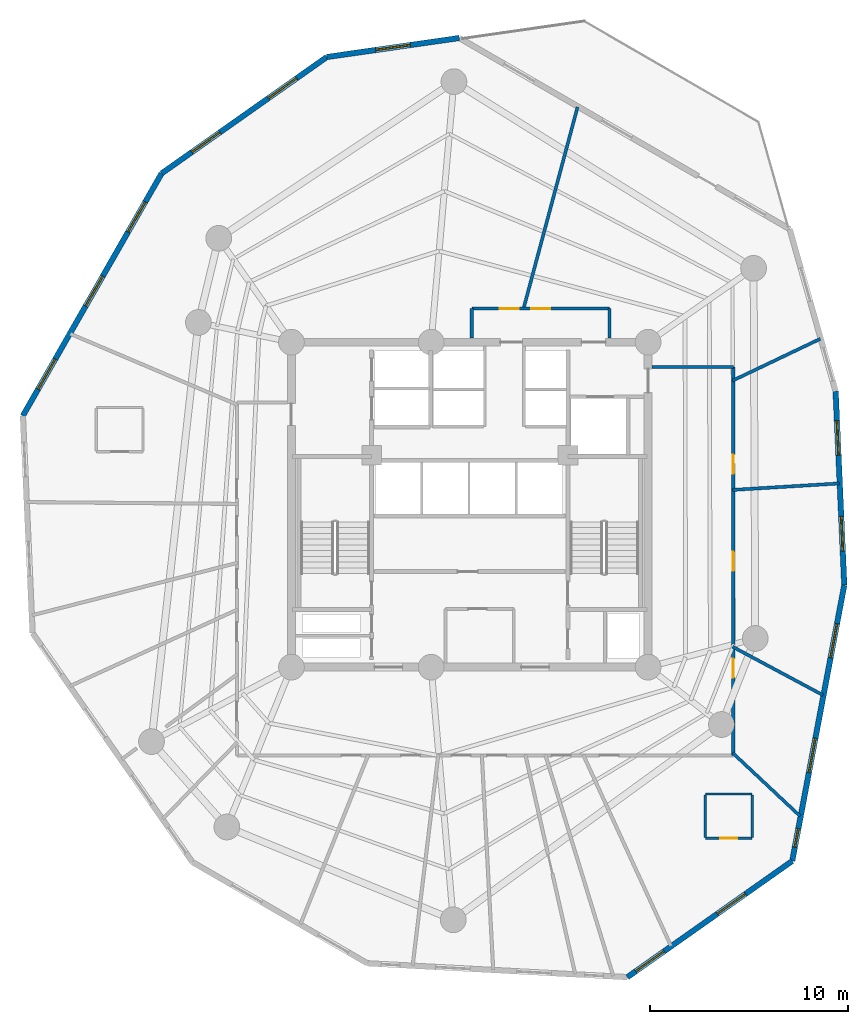
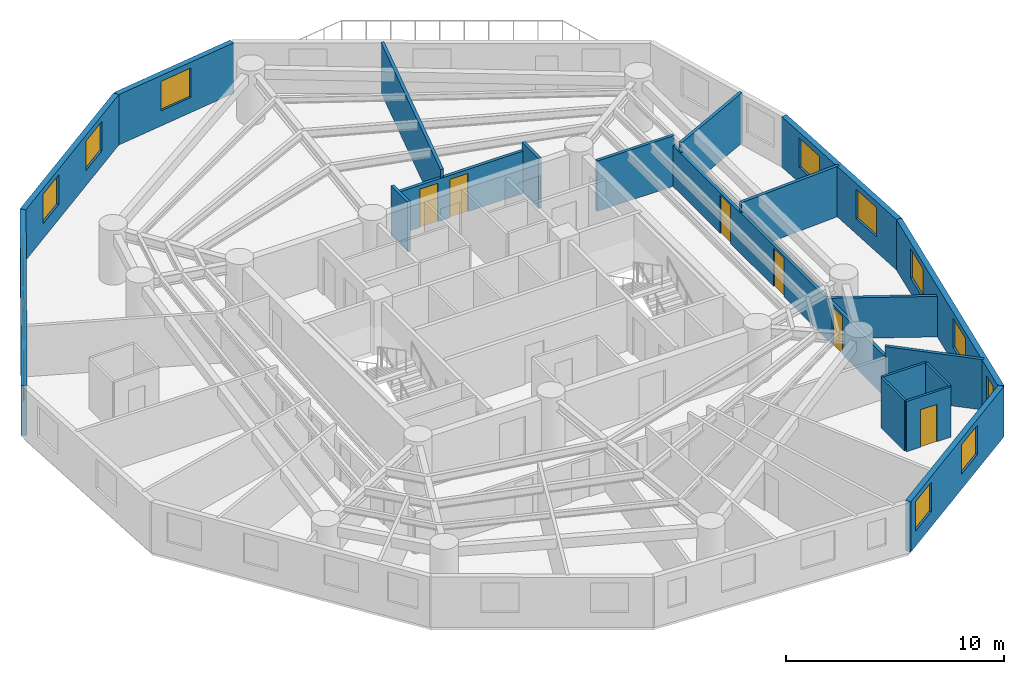
# One storey, part 5 of 7: 20 walls, 13 windows, 6 doors, 19 openings.
"""IFC4 building model written with IfcOpenShell, lengths in metres."""

from ifc_helpers import new_model, si_unit, direction, frame, frame_2d, origin, origin_with_axes, place, context, subcontext, project, spatial, rectangle, extrude, source, transform, mapped, material, layer, layer_set, type_object, element, fill, save


model = new_model("IFC4")

# Units and contexts
model_context = context("Model", 3, precision=1e-05, world=origin(), true_north=direction((0.0, 1.0)))
body_context = subcontext(model_context, "Body", "Model", "MODEL_VIEW")
ifc_project = project(units=[si_unit("LENGTHUNIT", "METRE"), si_unit("AREAUNIT", "SQUARE_METRE"), si_unit("VOLUMEUNIT", "CUBIC_METRE"), si_unit("PLANEANGLEUNIT", "RADIAN"), si_unit("MASSUNIT", "GRAM", prefix="KILO")], contexts=[model_context])

# Site, building, storey
site_placement = place(None, origin())
site = spatial("IfcSite", under=ifc_project, at=site_placement, CompositionType="ELEMENT")
building_placement = place(site_placement, origin())
building = spatial("IfcBuilding", under=site, at=building_placement, Name="Karkom Vertical University and Central Library", CompositionType="ELEMENT")
storey_placement = place(building_placement, frame((0.0, 0.0, 193.14990234375)))
storey = spatial("IfcBuildingStorey", under=building, at=storey_placement, Name="L56", CompositionType="ELEMENT", Elevation=193.14990234375)

# Wall, openings, windows
ifc_material_1 = material(Name="Brick-faced precast concrete C45/55", Category="masonry")
ifc_layer_1 = layer(ifc_material_1, 0.280029296875)
ifc_layer_set_1 = layer_set([ifc_layer_1], Name="Brick-faced precast concrete C45/55")
wall_type_1 = type_object("IfcWallType", Name="ENV-WL-BRK-280", PredefinedType="SOLIDWALL", material=ifc_layer_set_1)
wall_1_placement = place(storey_placement, frame((36.453369140625, 2.651611328125, 0.0), z_axis=(0.0, 0.0, 1.0), x_axis=(0.817449334026, 0.576000508941, 0.0)))
wall_1 = element("IfcWall", 1, at=wall_1_placement, inside=storey, type_object=wall_type_1, Name="Level 56 Brick-Faced Precast Facade Wall 04", PredefinedType="SOLIDWALL", context=body_context, shape_type="SweptSolid", body=[
    extrude(rectangle(XDim=10.182373046875, YDim=0.280029296875, at=frame_2d((5.09130859375, 0.0))), origin(), (0.0, 0.0, 1.0), 2.8251953125),
])
opening_1_placement = place(wall_1_placement, frame((0.512939453125, 0.0, 0.85009765625)))
opening_1 = element("IfcOpeningElement", 2, at=opening_1_placement, cuts=wall_1, Name="Opening WN-08", PredefinedType="OPENING", context=body_context, shape_type="SweptSolid", body=[
    extrude(rectangle(XDim=1.75, YDim=1.64990234375, at=frame_2d((0.875, 0.824951171875))), frame((0.0, 0.14990234375, 0.0), z_axis=(0.0, -1.0, 0.0), x_axis=(1.0, 0.0, 0.0)), (0.0, 0.0, 1.0), 0.300048828125),
])
opening_2_placement = place(wall_1_placement, frame((5.544189453125, 0.0, 0.85009765625)))
opening_2 = element("IfcOpeningElement", 3, at=opening_2_placement, cuts=wall_1, Name="Opening WN-08", PredefinedType="OPENING", context=body_context, shape_type="SweptSolid", body=[
    extrude(rectangle(XDim=1.75, YDim=1.64990234375, at=frame_2d((0.875, 0.824951171875))), frame((0.0, 0.14990234375, 0.0), z_axis=(0.0, -1.0, 0.0), x_axis=(1.0, 0.0, 0.0)), (0.0, 0.0, 1.0), 0.300048828125),
])
ifc_material_2 = material(Name="Aluminium thermal-break frame with solar-control IGU", Category="aluminium")
window_type_1 = type_object("IfcWindowType", Name="ENV-WIN-WN-08", PartitioningType="SINGLE_PANEL", PredefinedType="WINDOW", material=ifc_material_2)
shared_shape_1 = source(origin_with_axes(), body_context, "Body", "SweptSolid", [
    extrude(rectangle(XDim=1.75, YDim=1.64990234375, at=frame_2d((0.875, 0.824951171875))), frame((0.0, 0.030029296875, 0.0), z_axis=(0.0, -1.0, 0.0), x_axis=(1.0, 0.0, 0.0)), (0.0, 0.0, 1.0), 0.06005859375),
])
window_1_placement = place(opening_1_placement, origin())
window_1 = element("IfcWindow", 4, at=window_1_placement, inside=storey, type_object=window_type_1, Name="Level 56 Punched Window 4.1", OverallHeight=1.64990234375, OverallWidth=1.75, PartitioningType="SINGLE_PANEL", PredefinedType="WINDOW", context=body_context, shape_type="MappedRepresentation", body=[
    mapped(shared_shape_1, transform((0.0, 0.0, 0.0), scale=1.0)),
])
fill(opening_1, window_1)
window_2_placement = place(opening_2_placement, origin())
window_2 = element("IfcWindow", 5, at=window_2_placement, inside=storey, type_object=window_type_1, Name="Level 56 Punched Window 4.2", OverallHeight=1.64990234375, OverallWidth=1.75, PartitioningType="SINGLE_PANEL", PredefinedType="WINDOW", context=body_context, shape_type="MappedRepresentation", body=[
    mapped(shared_shape_1, transform((0.0, 0.0, 0.0), scale=1.0)),
])
fill(opening_2, window_2)

wall_2_placement = place(storey_placement, frame((44.77685546875, 8.5166015625, 0.0), z_axis=(0.0, 0.0, 1.0), x_axis=(0.185389024618, 0.982665207256, 0.0)))
wall_2 = element("IfcWall", 6, at=wall_2_placement, inside=storey, type_object=wall_type_1, Name="Level 56 Brick-Faced Precast Facade Wall 05", PredefinedType="SOLIDWALL", context=body_context, shape_type="SweptSolid", body=[
    extrude(rectangle(XDim=14.169921875, YDim=0.280029296875, at=frame_2d((7.0849609375, 0.0))), origin(), (0.0, 0.0, 1.0), 2.8251953125),
])
opening_3_placement = place(wall_2_placement, frame((0.715087890625, 0.0, 0.85009765625)))
opening_3 = element("IfcOpeningElement", 7, at=opening_3_placement, cuts=wall_2, Name="Opening WN-12", PredefinedType="OPENING", context=body_context, shape_type="SweptSolid", body=[
    extrude(rectangle(XDim=0.949951171875, YDim=1.5, at=frame_2d((0.47509765625, 0.75))), frame((0.0, 0.14990234375, 0.0), z_axis=(0.0, -1.0, 0.0), x_axis=(1.0, 0.0, 0.0)), (0.0, 0.0, 1.0), 0.300048828125),
])
opening_4_placement = place(wall_2_placement, frame((4.547119140625, 0.0, 0.85009765625)))
opening_4 = element("IfcOpeningElement", 8, at=opening_4_placement, cuts=wall_2, Name="Opening WN-08", PredefinedType="OPENING", context=body_context, shape_type="SweptSolid", body=[
    extrude(rectangle(XDim=1.75, YDim=1.64990234375, at=frame_2d((0.875, 0.824951171875))), frame((0.0, 0.14990234375, 0.0), z_axis=(0.0, -1.0, 0.0), x_axis=(1.0, 0.0, 0.0)), (0.0, 0.0, 1.0), 0.300048828125),
])
opening_5_placement = place(wall_2_placement, frame((10.44189453125, 0.0, 0.85009765625)))
opening_5 = element("IfcOpeningElement", 9, at=opening_5_placement, cuts=wall_2, Name="Opening WN-08", PredefinedType="OPENING", context=body_context, shape_type="SweptSolid", body=[
    extrude(rectangle(XDim=1.75, YDim=1.64990234375, at=frame_2d((0.875, 0.824951171875))), frame((0.0, 0.14990234375, 0.0), z_axis=(0.0, -1.0, 0.0), x_axis=(1.0, 0.0, 0.0)), (0.0, 0.0, 1.0), 0.300048828125),
])
window_type_2 = type_object("IfcWindowType", Name="ENV-WIN-WN-12", PartitioningType="SINGLE_PANEL", PredefinedType="WINDOW", material=ifc_material_2)
shared_shape_2 = source(origin_with_axes(), body_context, "Body", "SweptSolid", [
    extrude(rectangle(XDim=0.949951171875, YDim=1.5, at=frame_2d((0.47509765625, 0.75))), frame((0.0, 0.030029296875, 0.0), z_axis=(0.0, -1.0, 0.0), x_axis=(1.0, 0.0, 0.0)), (0.0, 0.0, 1.0), 0.06005859375),
])
window_3_placement = place(opening_3_placement, origin())
window_3 = element("IfcWindow", 10, at=window_3_placement, inside=storey, type_object=window_type_2, Name="Level 56 Punched Window 5.1", OverallHeight=1.5, OverallWidth=0.949951171875, PartitioningType="SINGLE_PANEL", PredefinedType="WINDOW", context=body_context, shape_type="MappedRepresentation", body=[
    mapped(shared_shape_2, transform((0.0, 0.0, 0.0), scale=1.0)),
])
fill(opening_3, window_3)
window_4_placement = place(opening_4_placement, origin())
window_4 = element("IfcWindow", 11, at=window_4_placement, inside=storey, type_object=window_type_1, Name="Level 56 Punched Window 5.2", OverallHeight=1.64990234375, OverallWidth=1.75, PartitioningType="SINGLE_PANEL", PredefinedType="WINDOW", context=body_context, shape_type="MappedRepresentation", body=[
    mapped(shared_shape_1, transform((0.0, 0.0, 0.0), scale=1.0)),
])
fill(opening_4, window_4)
window_5_placement = place(opening_5_placement, origin())
window_5 = element("IfcWindow", 12, at=window_5_placement, inside=storey, type_object=window_type_1, Name="Level 56 Punched Window 5.3", OverallHeight=1.64990234375, OverallWidth=1.75, PartitioningType="SINGLE_PANEL", PredefinedType="WINDOW", context=body_context, shape_type="MappedRepresentation", body=[
    mapped(shared_shape_1, transform((0.0, 0.0, 0.0), scale=1.0)),
])
fill(opening_5, window_5)

wall_3_placement = place(storey_placement, frame((47.40380859375, 22.44091796875, 0.0), z_axis=(0.0, 0.0, 1.0), x_axis=(-0.044674146158, 0.999001611943, 0.0)))
wall_3 = element("IfcWall", 13, at=wall_3_placement, inside=storey, type_object=wall_type_1, Name="Level 56 Brick-Faced Precast Facade Wall 06", PredefinedType="SOLIDWALL", context=body_context, shape_type="SweptSolid", body=[
    extrude(rectangle(XDim=9.798583984375, YDim=0.280029296875, at=frame_2d((4.8994140625, 0.0))), origin(), (0.0, 0.0, 1.0), 2.8251953125),
])
opening_6_placement = place(wall_3_placement, frame((1.723876953125, 0.0, 0.85009765625)))
opening_6 = element("IfcOpeningElement", 14, at=opening_6_placement, cuts=wall_3, Name="Opening WN-08", PredefinedType="OPENING", context=body_context, shape_type="SweptSolid", body=[
    extrude(rectangle(XDim=1.75, YDim=1.64990234375, at=frame_2d((0.875, 0.824951171875))), frame((0.0, 0.14990234375, 0.0), z_axis=(0.0, -1.0, 0.0), x_axis=(1.0, 0.0, 0.0)), (0.0, 0.0, 1.0), 0.300048828125),
])
opening_7_placement = place(wall_3_placement, frame((6.56298828125, 0.0, 0.85009765625)))
opening_7 = element("IfcOpeningElement", 15, at=opening_7_placement, cuts=wall_3, Name="Opening WN-08", PredefinedType="OPENING", context=body_context, shape_type="SweptSolid", body=[
    extrude(rectangle(XDim=1.75, YDim=1.64990234375, at=frame_2d((0.875, 0.824951171875))), frame((0.0, 0.14990234375, 0.0), z_axis=(0.0, -1.0, 0.0), x_axis=(1.0, 0.0, 0.0)), (0.0, 0.0, 1.0), 0.300048828125),
])
window_6_placement = place(opening_6_placement, origin())
window_6 = element("IfcWindow", 16, at=window_6_placement, inside=storey, type_object=window_type_1, Name="Level 56 Punched Window 6.1", OverallHeight=1.64990234375, OverallWidth=1.75, PartitioningType="SINGLE_PANEL", PredefinedType="WINDOW", context=body_context, shape_type="MappedRepresentation", body=[
    mapped(shared_shape_1, transform((0.0, 0.0, 0.0), scale=1.0)),
])
fill(opening_6, window_6)
window_7_placement = place(opening_7_placement, origin())
window_7 = element("IfcWindow", 17, at=window_7_placement, inside=storey, type_object=window_type_1, Name="Level 56 Punched Window 6.2", OverallHeight=1.64990234375, OverallWidth=1.75, PartitioningType="SINGLE_PANEL", PredefinedType="WINDOW", context=body_context, shape_type="MappedRepresentation", body=[
    mapped(shared_shape_1, transform((0.0, 0.0, 0.0), scale=1.0)),
])
fill(opening_7, window_7)

# Wall, opening, window
wall_4_placement = place(storey_placement, frame((27.97265625, 50.05615234375, 0.0), z_axis=(0.0, 0.0, 1.0), x_axis=(-0.989861136984, -0.142038478901, 0.0)))
wall_4 = element("IfcWall", 18, at=wall_4_placement, inside=storey, type_object=wall_type_1, Name="Level 56 Brick-Faced Precast Facade Wall 09", PredefinedType="SOLIDWALL", context=body_context, shape_type="SweptSolid", body=[
    extrude(rectangle(XDim=6.7568359375, YDim=0.280029296875, at=frame_2d((3.37841796875, 0.0))), origin(), (0.0, 0.0, 1.0), 2.8251953125),
])
opening_8_placement = place(wall_4_placement, frame((2.50341796875, 0.0, 0.85009765625)))
opening_8 = element("IfcOpeningElement", 19, at=opening_8_placement, cuts=wall_4, Name="Opening WN-08", PredefinedType="OPENING", context=body_context, shape_type="SweptSolid", body=[
    extrude(rectangle(XDim=1.75, YDim=1.64990234375, at=frame_2d((0.875, 0.824951171875))), frame((0.0, 0.14990234375, 0.0), z_axis=(0.0, -1.0, 0.0), x_axis=(1.0, 0.0, 0.0)), (0.0, 0.0, 1.0), 0.300048828125),
])
window_8_placement = place(opening_8_placement, origin())
window_8 = element("IfcWindow", 20, at=window_8_placement, inside=storey, type_object=window_type_1, Name="Level 56 Punched Window 9.1", OverallHeight=1.64990234375, OverallWidth=1.75, PartitioningType="SINGLE_PANEL", PredefinedType="WINDOW", context=body_context, shape_type="MappedRepresentation", body=[
    mapped(shared_shape_1, transform((0.0, 0.0, 0.0), scale=1.0)),
])
fill(opening_8, window_8)

# Wall, openings, windows
wall_5_placement = place(storey_placement, frame((21.284423828125, 49.096435546875, 0.0), z_axis=(0.0, 0.0, 1.0), x_axis=(-0.817450941873, -0.575998227108, 0.0)))
wall_5 = element("IfcWall", 21, at=wall_5_placement, inside=storey, type_object=wall_type_1, Name="Level 56 Brick-Faced Precast Facade Wall 10", PredefinedType="SOLIDWALL", context=body_context, shape_type="SweptSolid", body=[
    extrude(rectangle(XDim=10.204345703125, YDim=0.280029296875, at=frame_2d((5.10205078125, 0.0))), origin(), (0.0, 0.0, 1.0), 2.8251953125),
])
opening_9_placement = place(wall_5_placement, frame((1.8662109375, 0.0, 0.85009765625)))
opening_9 = element("IfcOpeningElement", 22, at=opening_9_placement, cuts=wall_5, Name="Opening WN-08", PredefinedType="OPENING", context=body_context, shape_type="SweptSolid", body=[
    extrude(rectangle(XDim=1.75, YDim=1.64990234375, at=frame_2d((0.875, 0.824951171875))), frame((0.0, 0.14990234375, 0.0), z_axis=(0.0, -1.0, 0.0), x_axis=(1.0, 0.0, 0.0)), (0.0, 0.0, 1.0), 0.300048828125),
])
opening_10_placement = place(wall_5_placement, frame((6.588134765625, 0.0, 0.85009765625)))
opening_10 = element("IfcOpeningElement", 23, at=opening_10_placement, cuts=wall_5, Name="Opening WN-08", PredefinedType="OPENING", context=body_context, shape_type="SweptSolid", body=[
    extrude(rectangle(XDim=1.75, YDim=1.64990234375, at=frame_2d((0.875, 0.824951171875))), frame((0.0, 0.14990234375, 0.0), z_axis=(0.0, -1.0, 0.0), x_axis=(1.0, 0.0, 0.0)), (0.0, 0.0, 1.0), 0.300048828125),
])
window_9_placement = place(opening_9_placement, origin())
window_9 = element("IfcWindow", 24, at=window_9_placement, inside=storey, type_object=window_type_1, Name="Level 56 Punched Window 10.1", OverallHeight=1.64990234375, OverallWidth=1.75, PartitioningType="SINGLE_PANEL", PredefinedType="WINDOW", context=body_context, shape_type="MappedRepresentation", body=[
    mapped(shared_shape_1, transform((0.0, 0.0, 0.0), scale=1.0)),
])
fill(opening_9, window_9)
window_10_placement = place(opening_10_placement, origin())
window_10 = element("IfcWindow", 25, at=window_10_placement, inside=storey, type_object=window_type_1, Name="Level 56 Punched Window 10.2", OverallHeight=1.64990234375, OverallWidth=1.75, PartitioningType="SINGLE_PANEL", PredefinedType="WINDOW", context=body_context, shape_type="MappedRepresentation", body=[
    mapped(shared_shape_1, transform((0.0, 0.0, 0.0), scale=1.0)),
])
fill(opening_10, window_10)

wall_6_placement = place(storey_placement, frame((12.94287109375, 43.21875, 0.0), z_axis=(0.0, 0.0, 1.0), x_axis=(-0.496778519018, -0.867877354839, 0.0)))
wall_6 = element("IfcWall", 26, at=wall_6_placement, inside=storey, type_object=wall_type_1, Name="Level 56 Brick-Faced Precast Facade Wall 11", PredefinedType="SOLIDWALL", context=body_context, shape_type="SweptSolid", body=[
    extrude(rectangle(XDim=14.09716796875, YDim=0.280029296875, at=frame_2d((7.048583984375, 0.0))), origin(), (0.0, 0.0, 1.0), 2.8251953125),
])
opening_11_placement = place(wall_6_placement, frame((1.6572265625, 0.0, 0.85009765625)))
opening_11 = element("IfcOpeningElement", 27, at=opening_11_placement, cuts=wall_6, Name="Opening WN-08", PredefinedType="OPENING", context=body_context, shape_type="SweptSolid", body=[
    extrude(rectangle(XDim=1.75, YDim=1.64990234375, at=frame_2d((0.875, 0.824951171875))), frame((0.0, 0.14990234375, 0.0), z_axis=(0.0, -1.0, 0.0), x_axis=(1.0, 0.0, 0.0)), (0.0, 0.0, 1.0), 0.300048828125),
])
opening_12_placement = place(wall_6_placement, frame((5.9619140625, 0.0, 0.85009765625)))
opening_12 = element("IfcOpeningElement", 28, at=opening_12_placement, cuts=wall_6, Name="Opening WN-08", PredefinedType="OPENING", context=body_context, shape_type="SweptSolid", body=[
    extrude(rectangle(XDim=1.75, YDim=1.64990234375, at=frame_2d((0.875, 0.824951171875))), frame((0.0, 0.14990234375, 0.0), z_axis=(0.0, -1.0, 0.0), x_axis=(1.0, 0.0, 0.0)), (0.0, 0.0, 1.0), 0.300048828125),
])
opening_13_placement = place(wall_6_placement, frame((10.798095703125, 0.0, 0.85009765625)))
opening_13 = element("IfcOpeningElement", 29, at=opening_13_placement, cuts=wall_6, Name="Opening WN-08", PredefinedType="OPENING", context=body_context, shape_type="SweptSolid", body=[
    extrude(rectangle(XDim=1.75, YDim=1.64990234375, at=frame_2d((0.875, 0.824951171875))), frame((0.0, 0.14990234375, 0.0), z_axis=(0.0, -1.0, 0.0), x_axis=(1.0, 0.0, 0.0)), (0.0, 0.0, 1.0), 0.300048828125),
])
window_11_placement = place(opening_11_placement, origin())
window_11 = element("IfcWindow", 30, at=window_11_placement, inside=storey, type_object=window_type_1, Name="Level 56 Punched Window 11.1", OverallHeight=1.64990234375, OverallWidth=1.75, PartitioningType="SINGLE_PANEL", PredefinedType="WINDOW", context=body_context, shape_type="MappedRepresentation", body=[
    mapped(shared_shape_1, transform((0.0, 0.0, 0.0), scale=1.0)),
])
fill(opening_11, window_11)
window_12_placement = place(opening_12_placement, origin())
window_12 = element("IfcWindow", 31, at=window_12_placement, inside=storey, type_object=window_type_1, Name="Level 56 Punched Window 11.2", OverallHeight=1.64990234375, OverallWidth=1.75, PartitioningType="SINGLE_PANEL", PredefinedType="WINDOW", context=body_context, shape_type="MappedRepresentation", body=[
    mapped(shared_shape_1, transform((0.0, 0.0, 0.0), scale=1.0)),
])
fill(opening_12, window_12)
window_13_placement = place(opening_13_placement, origin())
window_13 = element("IfcWindow", 32, at=window_13_placement, inside=storey, type_object=window_type_1, Name="Level 56 Punched Window 11.3", OverallHeight=1.64990234375, OverallWidth=1.75, PartitioningType="SINGLE_PANEL", PredefinedType="WINDOW", context=body_context, shape_type="MappedRepresentation", body=[
    mapped(shared_shape_1, transform((0.0, 0.0, 0.0), scale=1.0)),
])
fill(opening_13, window_13)

# Wall, openings, doors
ifc_material_3 = material(Name="Insulated metal-stud drywall 160mm", Category="gypsum")
ifc_layer_2 = layer(ifc_material_3, 0.159912109375)
ifc_layer_set_2 = layer_set([ifc_layer_2], Name="Insulated metal-stud drywall 160mm")
wall_type_2 = type_object("IfcWallType", Name="INT-WL-COR-160", PredefinedType="PARTITIONING", material=ifc_layer_set_2)
wall_7_placement = place(storey_placement, frame((41.800048828125, 33.449951171875, 0.0), z_axis=(0.0, 0.0, 1.0), x_axis=(0.0, -1.0, 0.0)))
wall_7 = element("IfcWall", 33, at=wall_7_placement, inside=storey, type_object=wall_type_2, Name="Level 56 Interior Partition Wall L56-CORW-CW-005", PredefinedType="PARTITIONING", context=body_context, shape_type="SweptSolid", body=[
    extrude(rectangle(XDim=19.599853515625, YDim=0.159912109375, at=frame_2d((9.7998046875, 0.0))), origin(), (0.0, 0.0, 1.0), 2.275146484375),
])
opening_14_placement = place(wall_7_placement, frame((14.715087890625, 0.0, 0.0)))
opening_14 = element("IfcOpeningElement", 34, at=opening_14_placement, cuts=wall_7, Name="Opening FD-RM2", PredefinedType="OPENING", context=body_context, shape_type="SweptSolid", body=[
    extrude(rectangle(XDim=0.9599609375, YDim=2.14990234375, at=frame_2d((0.47998046875, 1.074951171875))), frame((0.0, 0.08984375, 0.0), z_axis=(0.0, -1.0, 0.0), x_axis=(1.0, 0.0, 0.0)), (0.0, 0.0, 1.0), 0.179931640625),
])
opening_15_placement = place(wall_7_placement, frame((9.324951171875, 0.0, 0.0)))
opening_15 = element("IfcOpeningElement", 35, at=opening_15_placement, cuts=wall_7, Name="Opening FD-RM2", PredefinedType="OPENING", context=body_context, shape_type="SweptSolid", body=[
    extrude(rectangle(XDim=0.9599609375, YDim=2.14990234375, at=frame_2d((0.47998046875, 1.074951171875))), frame((0.0, 0.08984375, 0.0), z_axis=(0.0, -1.0, 0.0), x_axis=(1.0, 0.0, 0.0)), (0.0, 0.0, 1.0), 0.179931640625),
])
opening_16_placement = place(wall_7_placement, frame((4.425048828125, 0.0, 0.0)))
opening_16 = element("IfcOpeningElement", 36, at=opening_16_placement, cuts=wall_7, Name="Opening FD-RM2", PredefinedType="OPENING", context=body_context, shape_type="SweptSolid", body=[
    extrude(rectangle(XDim=0.9599609375, YDim=2.14990234375, at=frame_2d((0.47998046875, 1.074951171875))), frame((0.0, 0.08984375, 0.0), z_axis=(0.0, -1.0, 0.0), x_axis=(1.0, 0.0, 0.0)), (0.0, 0.0, 1.0), 0.179931640625),
])
ifc_material_4 = material(Name="Fire-rated oak veneer door", Category="wood")
door_type_1 = type_object("IfcDoorType", Name="INT-DR-FRM2", OperationType="NOTDEFINED", PredefinedType="DOOR", material=ifc_material_4)
shared_shape_3 = source(origin_with_axes(), body_context, "Body", "SweptSolid", [
    extrude(rectangle(XDim=0.9599609375, YDim=2.14990234375, at=frame_2d((0.47998046875, 1.074951171875))), frame((0.0, 0.02490234375, 0.0), z_axis=(0.0, -1.0, 0.0), x_axis=(1.0, 0.0, 0.0)), (0.0, 0.0, 1.0), 0.050048828125),
])
door_1_placement = place(opening_14_placement, origin())
door_1 = element("IfcDoor", 37, at=door_1_placement, inside=storey, type_object=door_type_1, Name="Level 56 Room Entry Door 111", OperationType="SINGLE_SWING_RIGHT", OverallHeight=2.14990234375, OverallWidth=0.9599609375, PredefinedType="DOOR", context=body_context, shape_type="MappedRepresentation", body=[
    mapped(shared_shape_3, transform((0.0, 0.0, 0.0), scale=1.0)),
])
fill(opening_14, door_1)
door_2_placement = place(opening_15_placement, origin())
door_2 = element("IfcDoor", 38, at=door_2_placement, inside=storey, type_object=door_type_1, Name="Level 56 Room Entry Door 121", OperationType="SINGLE_SWING_LEFT", OverallHeight=2.14990234375, OverallWidth=0.9599609375, PredefinedType="DOOR", context=body_context, shape_type="MappedRepresentation", body=[
    mapped(shared_shape_3, transform((0.0, 0.0, 0.0), scale=1.0)),
])
fill(opening_15, door_2)
door_3_placement = place(opening_16_placement, origin())
door_3 = element("IfcDoor", 39, at=door_3_placement, inside=storey, type_object=door_type_1, Name="Level 56 Room Entry Door 131", OperationType="SINGLE_SWING_RIGHT", OverallHeight=2.14990234375, OverallWidth=0.9599609375, PredefinedType="DOOR", context=body_context, shape_type="MappedRepresentation", body=[
    mapped(shared_shape_3, transform((0.0, 0.0, 0.0), scale=1.0)),
])
fill(opening_16, door_3)

# Wall
wall_8_placement = place(storey_placement, frame((31.20703125, 36.37109375, 0.0), z_axis=(0.0, 0.0, 1.0), x_axis=(0.258819281137, 0.965925763044, 0.0)))
element("IfcWall", 40, at=wall_8_placement, inside=storey, type_object=wall_type_2, Name="Level 56 Interior Partition Wall L56-PW-017", PredefinedType="PARTITIONING", context=body_context, shape_type="SweptSolid", body=[
    extrude(rectangle(XDim=10.56103515625, YDim=0.159912109375, at=frame_2d((5.280517578125, 0.0))), origin(), (0.0, 0.0, 1.0), 2.8251953125),
])

# Wall, openings, doors
wall_9_placement = place(storey_placement, frame((28.60009765625, 36.39990234375, 0.0), z_axis=(0.0, 0.0, 1.0), x_axis=(1.0, 0.0, 0.0)))
wall_9 = element("IfcWall", 41, at=wall_9_placement, inside=storey, type_object=wall_type_2, Name="Level 56 Interior Partition Wall L56-CORW-CW-007", PredefinedType="PARTITIONING", context=body_context, shape_type="SweptSolid", body=[
    extrude(rectangle(XDim=6.949951171875, YDim=0.159912109375, at=frame_2d((3.47509765625, 0.0))), origin(), (0.0, 0.0, 1.0), 2.375),
])
opening_17_placement = place(wall_9_placement, frame((3.0, 0.0, 0.0)))
opening_17 = element("IfcOpeningElement", 42, at=opening_17_placement, cuts=wall_9, Name="Opening FD-RM2", PredefinedType="OPENING", context=body_context, shape_type="SweptSolid", body=[
    extrude(rectangle(XDim=0.9599609375, YDim=2.14990234375, at=frame_2d((0.47998046875, 1.074951171875))), frame((0.0, 0.08984375, 0.0), z_axis=(0.0, -1.0, 0.0), x_axis=(1.0, 0.0, 0.0)), (0.0, 0.0, 1.0), 0.179931640625),
])
opening_18_placement = place(wall_9_placement, frame((1.41748046875, 0.0, 0.0)))
opening_18 = element("IfcOpeningElement", 43, at=opening_18_placement, cuts=wall_9, Name="Opening FD-RM2", PredefinedType="OPENING", context=body_context, shape_type="SweptSolid", body=[
    extrude(rectangle(XDim=0.9599609375, YDim=2.14990234375, at=frame_2d((0.47998046875, 1.074951171875))), frame((0.0, 0.08984375, 0.0), z_axis=(0.0, -1.0, 0.0), x_axis=(1.0, 0.0, 0.0)), (0.0, 0.0, 1.0), 0.179931640625),
])
door_4_placement = place(opening_17_placement, origin())
door_4 = element("IfcDoor", 44, at=door_4_placement, inside=storey, type_object=door_type_1, Name="Level 56 Room Entry Door 141", OperationType="SINGLE_SWING_LEFT", OverallHeight=2.14990234375, OverallWidth=0.9599609375, PredefinedType="DOOR", context=body_context, shape_type="MappedRepresentation", body=[
    mapped(shared_shape_3, transform((0.0, 0.0, 0.0), scale=1.0)),
])
fill(opening_17, door_4)
door_5_placement = place(opening_18_placement, origin())
door_5 = element("IfcDoor", 45, at=door_5_placement, inside=storey, type_object=door_type_1, Name="Level 56 Room Entry Door 151", OperationType="SINGLE_SWING_RIGHT", OverallHeight=2.14990234375, OverallWidth=0.9599609375, PredefinedType="DOOR", context=body_context, shape_type="MappedRepresentation", body=[
    mapped(shared_shape_3, transform((0.0, 0.0, 0.0), scale=1.0)),
])
fill(opening_18, door_5)

# Walls
wall_10_placement = place(storey_placement, frame((41.77001953125, 27.24609375, 0.0), z_axis=(0.0, 0.0, 1.0), x_axis=(0.998158619136, 0.060657819326, 0.0)))
element("IfcWall", 46, at=wall_10_placement, inside=storey, type_object=wall_type_2, Name="Level 56 Interior Partition Wall L56-PW-015", PredefinedType="PARTITIONING", context=body_context, shape_type="SweptSolid", body=[
    extrude(rectangle(XDim=5.389404296875, YDim=0.159912109375, at=frame_2d((2.69482421875, 0.0))), origin(), (0.0, 0.0, 1.0), 2.8251953125),
])
wall_11_placement = place(storey_placement, frame((41.760498046875, 19.3330078125, 0.0), z_axis=(0.0, 0.0, 1.0), x_axis=(0.881620046082, -0.471959843998, 0.0)))
element("IfcWall", 47, at=wall_11_placement, inside=storey, type_object=wall_type_2, Name="Level 56 Interior Partition Wall L56-PW-014", PredefinedType="PARTITIONING", context=body_context, shape_type="SweptSolid", body=[
    extrude(rectangle(XDim=5.1806640625, YDim=0.159912109375, at=frame_2d((2.59033203125, 0.0))), origin(), (0.0, 0.0, 1.0), 2.275146484375),
])
wall_12_placement = place(storey_placement, frame((41.759521484375, 32.7578125, 0.0), z_axis=(0.0, 0.0, 1.0), x_axis=(0.902576335981, 0.430529856952, 0.0)))
element("IfcWall", 48, at=wall_12_placement, inside=storey, type_object=wall_type_2, Name="Level 56 Interior Partition Wall L56-PW-016", PredefinedType="PARTITIONING", context=body_context, shape_type="SweptSolid", body=[
    extrude(rectangle(XDim=4.91015625, YDim=0.159912109375, at=frame_2d((2.455078125, 0.0))), origin(), (0.0, 0.0, 1.0), 2.8251953125),
])
wall_13_placement = place(storey_placement, frame((41.778076171875, 13.964599609375, 0.0), z_axis=(0.0, 0.0, 1.0), x_axis=(0.729404533872, -0.684082616331, 0.0)))
element("IfcWall", 49, at=wall_13_placement, inside=storey, type_object=wall_type_2, Name="Level 56 Interior Partition Wall L56-PW-013", PredefinedType="PARTITIONING", context=body_context, shape_type="SweptSolid", body=[
    extrude(rectangle(XDim=4.64892578125, YDim=0.159912109375, at=frame_2d((2.324462890625, 0.0))), origin(), (0.0, 0.0, 1.0), 2.8251953125),
])
wall_14_placement = place(storey_placement, frame((37.70703125, 33.449951171875, 0.0), z_axis=(0.0, 0.0, 1.0), x_axis=(1.0, 0.0, 0.0)))
element("IfcWall", 50, at=wall_14_placement, inside=storey, type_object=wall_type_2, Name="Level 56 Interior Partition Wall L56-CORW-CW-004", PredefinedType="PARTITIONING", context=body_context, shape_type="SweptSolid", body=[
    extrude(rectangle(XDim=4.093017578125, YDim=0.159912109375, at=frame_2d((2.04638671875, 0.0))), origin(), (0.0, 0.0, 1.0), 2.8251953125),
])
for number, where, z_axis, x_axis, name in (
    (51, (28.60009765625, 34.906982421875, 0.0), (0.0, 0.0, 1.0), (0.0, 1.0, 0.0), "Level 56 Interior Partition Wall L56-CORW-CW-006"),
    (52, (35.550048828125, 36.39990234375, 0.0), (0.0, 0.0, 1.0), (0.0, -1.0, 0.0), "Level 56 Interior Partition Wall L56-CORW-CW-008"),
):
    element("IfcWall", number, at=place(storey_placement, frame(where, z_axis=z_axis, x_axis=x_axis)), inside=storey, type_object=wall_type_2, Name=name, PredefinedType="PARTITIONING", context=body_context, shape_type="SweptSolid", body=[
        extrude(rectangle(XDim=1.492919921875, YDim=0.159912109375, at=frame_2d((0.74658203125, 0.0))), origin(), (0.0, 0.0, 1.0), 2.8251953125),
    ])

# Wall, opening, door
ifc_material_5 = material(Name="Moisture-resistant drywall 120mm", Category="gypsum")
ifc_layer_3 = layer(ifc_material_5, 0.1201171875)
ifc_layer_set_3 = layer_set([ifc_layer_3], Name="Moisture-resistant drywall 120mm")
wall_type_3 = type_object("IfcWallType", Name="INT-WL-INT-120F", PredefinedType="PARTITIONING", material=ifc_layer_set_3)
wall_15_placement = place(storey_placement, frame((40.387939453125, 9.656982421875, 0.0), z_axis=(0.0, 0.0, 1.0), x_axis=(1.0, 0.0, 0.0)))
wall_15 = element("IfcWall", 53, at=wall_15_placement, inside=storey, type_object=wall_type_3, Name="Level 56 Interior Partition Wall L56-ENS-10-S", PredefinedType="PARTITIONING", context=body_context, shape_type="SweptSolid", body=[
    extrude(rectangle(XDim=2.360107421875, YDim=0.1201171875, at=frame_2d((1.18017578125, 0.0))), origin(), (0.0, 0.0, 1.0), 2.8251953125),
])
opening_19_placement = place(wall_15_placement, frame((0.75, 0.0, 0.0)))
opening_19 = element("IfcOpeningElement", 54, at=opening_19_placement, cuts=wall_15, Name="Opening D-BATH", PredefinedType="OPENING", context=body_context, shape_type="SweptSolid", body=[
    extrude(rectangle(XDim=0.860107421875, YDim=2.10009765625, at=frame_2d((0.43017578125, 1.050048828125))), frame((0.0, 0.070068359375, 0.0), z_axis=(0.0, -1.0, 0.0), x_axis=(1.0, 0.0, 0.0)), (0.0, 0.0, 1.0), 0.14013671875),
])
ifc_material_6 = material(Name="Moisture-resistant oak door", Category="wood")
door_type_2 = type_object("IfcDoorType", Name="INT-DR-BATH", OperationType="NOTDEFINED", PredefinedType="DOOR", material=ifc_material_6)
shared_shape_4 = source(origin_with_axes(), body_context, "Body", "SweptSolid", [
    extrude(rectangle(XDim=0.860107421875, YDim=2.10009765625, at=frame_2d((0.43017578125, 1.050048828125))), frame((0.0, 0.02490234375, 0.0), z_axis=(0.0, -1.0, 0.0), x_axis=(1.0, 0.0, 0.0)), (0.0, 0.0, 1.0), 0.050048828125),
])
door_6_placement = place(opening_19_placement, origin())
door_6 = element("IfcDoor", 55, at=door_6_placement, inside=storey, type_object=door_type_2, Name="Level 56 En-Suite Bathroom Door 10", OperationType="SINGLE_SWING_LEFT", OverallHeight=2.10009765625, OverallWidth=0.860107421875, PredefinedType="DOOR", context=body_context, shape_type="MappedRepresentation", body=[
    mapped(shared_shape_4, transform((0.0, 0.0, 0.0), scale=1.0)),
])
fill(opening_19, door_6)

# Walls
wall_16_placement = place(storey_placement, frame((42.748046875, 11.89697265625, 0.0), z_axis=(0.0, 0.0, 1.0), x_axis=(-1.0, 0.0, 0.0)))
element("IfcWall", 56, at=wall_16_placement, inside=storey, type_object=wall_type_3, Name="Level 56 Interior Partition Wall L56-ENS-10-N", PredefinedType="PARTITIONING", context=body_context, shape_type="SweptSolid", body=[
    extrude(rectangle(XDim=2.360107421875, YDim=0.1201171875, at=frame_2d((1.18017578125, 0.0))), origin(), (0.0, 0.0, 1.0), 2.8251953125),
])
for number, where, z_axis, x_axis, name in (
    (57, (42.748046875, 9.70703125, 0.0), (0.0, 0.0, 1.0), (0.0, 1.0, 0.0), "Level 56 Interior Partition Wall L56-ENS-10-E"),
    (58, (40.387939453125, 11.846923828125, 0.0), (0.0, 0.0, 1.0), (0.0, -1.0, 0.0), "Level 56 Interior Partition Wall L56-ENS-10-W"),
):
    element("IfcWall", number, at=place(storey_placement, frame(where, z_axis=z_axis, x_axis=x_axis)), inside=storey, type_object=wall_type_3, Name=name, PredefinedType="PARTITIONING", context=body_context, shape_type="SweptSolid", body=[
        extrude(rectangle(XDim=2.139892578125, YDim=0.1201171875, at=frame_2d((1.06982421875, 0.0))), origin(), (0.0, 0.0, 1.0), 2.8251953125),
    ])

save(model, "model.ifc")
